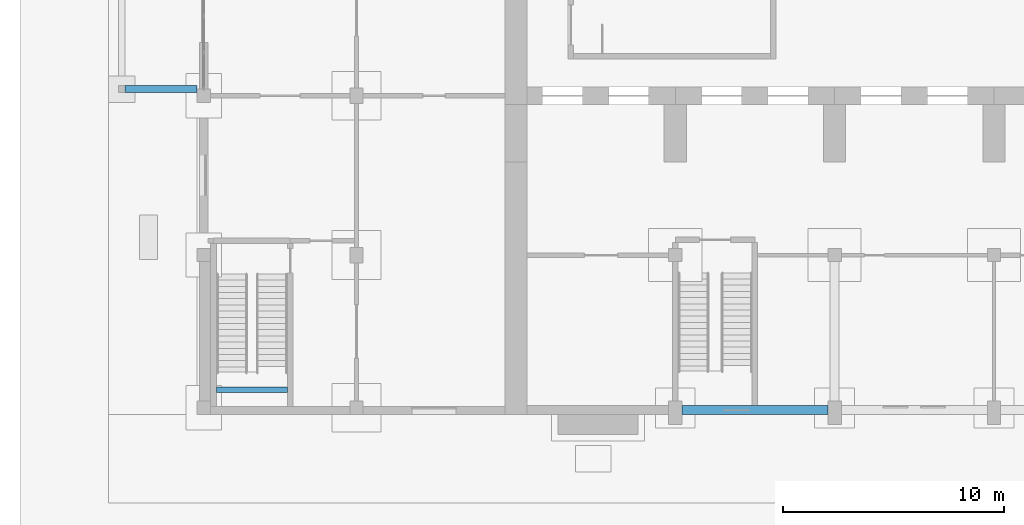
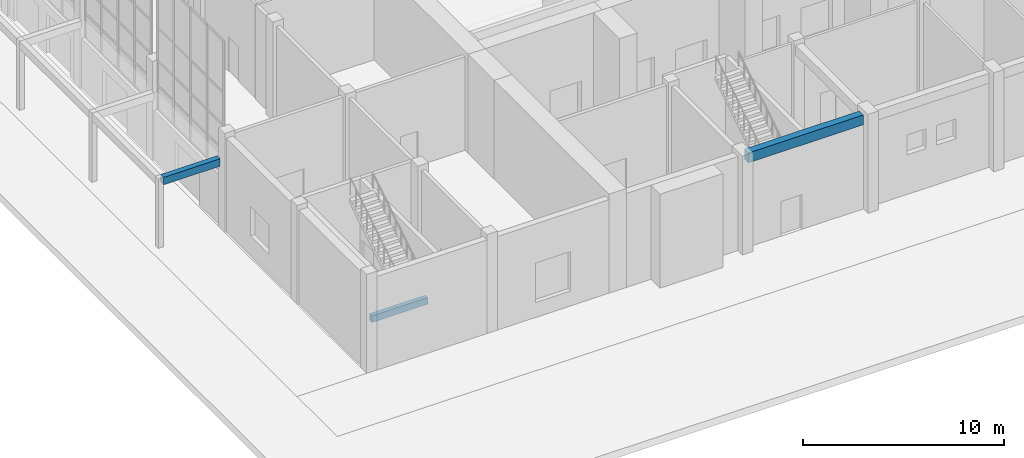
# One storey, part 7 of 70: 3 beams.
"""IFC4 building model written with IfcOpenShell, lengths in metres."""

from ifc_helpers import new_model, si_unit, direction, frame, origin, origin_2d, place, context, subcontext, project, spatial, rectangle, extrude, material, material_profile, profile_set, type_object, element, save


model = new_model("IFC4")

# Units and contexts
model_context = context("Model", 3, precision=1e-05, world=origin(), true_north=direction((0.0, 1.0)))
body_context = subcontext(model_context, "Body", "Model", "MODEL_VIEW")
ifc_project = project(units=[si_unit("LENGTHUNIT", "METRE"), si_unit("AREAUNIT", "SQUARE_METRE"), si_unit("VOLUMEUNIT", "CUBIC_METRE"), si_unit("PLANEANGLEUNIT", "RADIAN"), si_unit("MASSUNIT", "GRAM", prefix="KILO")], contexts=[model_context])

# Site, building, storey
site_placement = place(None, origin())
site = spatial("IfcSite", under=ifc_project, at=site_placement, CompositionType="ELEMENT")
building_placement = place(site_placement, origin())
building = spatial("IfcBuilding", under=site, at=building_placement, Name="Vermilion Court Aquatics Centre", CompositionType="ELEMENT")
storey_placement = place(building_placement, origin())
storey = spatial("IfcBuildingStorey", under=building, at=storey_placement, Name="L00", CompositionType="ELEMENT", Elevation=0.0)

# Beams
ifc_material_1 = material(Name="Concrete 5000 psi", Category="concrete")
ifc_material_profile_1 = material_profile(ifc_material_1, rectangle(XDim=0.300048828125, YDim=0.449951171875, at=origin_2d()), Name="RC 300x450")
ifc_profile_set_1 = profile_set([ifc_material_profile_1], Name="Concrete 5000 psi")
beam_type_1 = type_object("IfcBeamType", Name="Foyer canopy beam RC 300x450", PredefinedType="BEAM", material=ifc_profile_set_1)
beam_1_placement = place(storey_placement, frame((-3.25, 14.699951171875, 3.97509765625), z_axis=(1.0, 0.0, 0.0), x_axis=(0.0, 1.0, 0.0)))
element("IfcBeam", 1, at=beam_1_placement, inside=storey, type_object=beam_type_1, Name="Foyer canopy beam", PredefinedType="BEAM", context=body_context, shape_type="SweptSolid", body=[
    extrude(rectangle(XDim=0.300048828125, YDim=0.449951171875, at=origin_2d()), origin(), (0.0, 0.0, 1.0), 3.25),
])
ifc_material_2 = material(Name="Concrete 5000 psi", Category="concrete")
ifc_material_profile_2 = material_profile(ifc_material_2, rectangle(XDim=0.25, YDim=0.39990234375, at=origin_2d()), Name="RC 250x400")
ifc_profile_set_2 = profile_set([ifc_material_profile_2], Name="Concrete 5000 psi")
beam_type_2 = type_object("IfcBeamType", Name="Foyer landing beam RC 250x400", PredefinedType="BEAM", material=ifc_profile_set_2)
beam_2_placement = place(storey_placement, frame((0.875, 1.110107421875, 2.375), z_axis=(1.0, 0.0, 0.0), x_axis=(0.0, 1.0, 0.0)))
element("IfcBeam", 2, at=beam_2_placement, inside=storey, type_object=beam_type_2, Name="Landing beam F1", PredefinedType="BEAM", context=body_context, shape_type="SweptSolid", body=[
    extrude(rectangle(XDim=0.25, YDim=0.39990234375, at=origin_2d()), origin(), (0.0, 0.0, 1.0), 3.199951171875),
])
ifc_material_3 = material(Name="Concrete 5000 psi", Category="concrete")
ifc_material_profile_3 = material_profile(ifc_material_3, rectangle(XDim=0.39990234375, YDim=0.60009765625, at=origin_2d()), Name="RC 400x600")
ifc_profile_set_3 = profile_set([ifc_material_profile_3], Name="Concrete 5000 psi")
beam_type_3 = type_object("IfcBeamType", Name="South floor beam RC 400x600", PredefinedType="BEAM", material=ifc_profile_set_3)
beam_3_placement = place(storey_placement, frame((21.89990234375, 0.199951171875, 5.39990234375), z_axis=(1.0, 0.0, 0.0), x_axis=(0.0, 1.0, 0.0)))
element("IfcBeam", 3, at=beam_3_placement, inside=storey, type_object=beam_type_3, Name="South floor edge beam", PredefinedType="BEAM", context=body_context, shape_type="SweptSolid", body=[
    extrude(rectangle(XDim=0.39990234375, YDim=0.60009765625, at=origin_2d()), origin(), (0.0, 0.0, 1.0), 6.60009765625),
])

save(model, "model.ifc")
